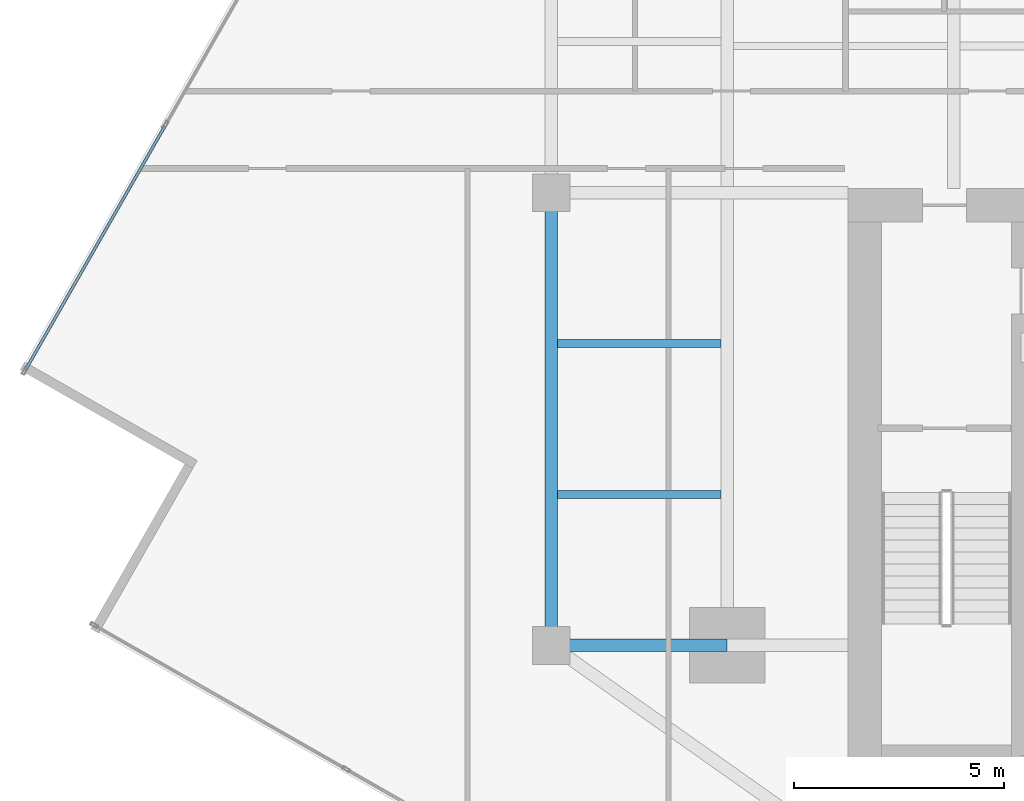
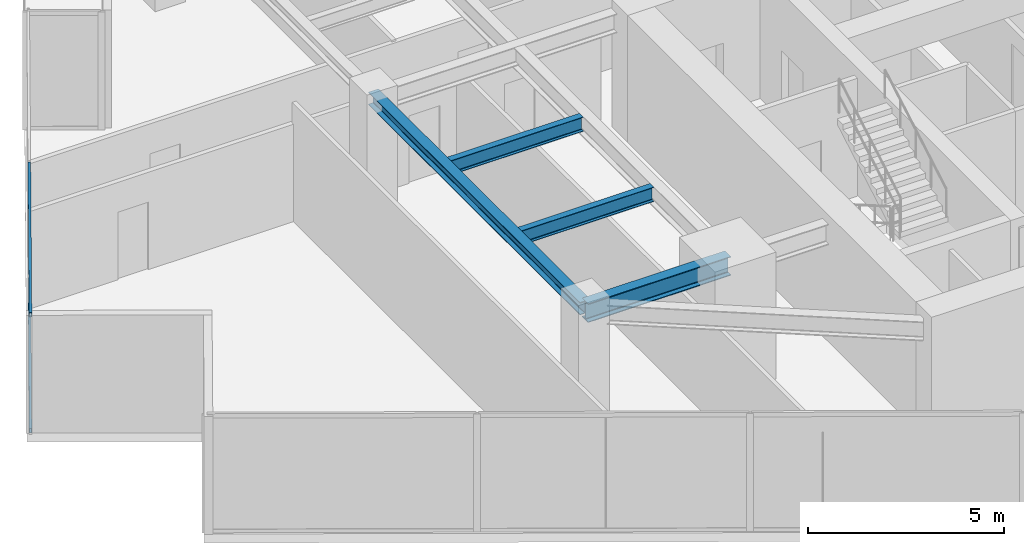
# One storey, part 6 of 24: 4 beams, 2 members, 1 element without a shape of its own.
"""IFC4 building model written with IfcOpenShell, lengths in metres."""

from ifc_helpers import new_model, si_unit, direction, frame, origin, origin_2d, place, context, subcontext, project, spatial, hollow_rectangle, i_section, extrude, source, transform, mapped, material, material_profile, profile_set, type_object, type_shapes, element, aggregate, save


model = new_model("IFC4")

# Units and contexts
model_context = context("Model", 3, precision=1e-05, world=origin(), true_north=direction((0.0, 1.0)))
body_context = subcontext(model_context, "Body", "Model", "MODEL_VIEW")
ifc_project = project(units=[si_unit("LENGTHUNIT", "METRE"), si_unit("AREAUNIT", "SQUARE_METRE"), si_unit("VOLUMEUNIT", "CUBIC_METRE"), si_unit("PLANEANGLEUNIT", "RADIAN"), si_unit("MASSUNIT", "GRAM", prefix="KILO")], contexts=[model_context])

# Site, building, storey
site_placement = place(None, origin())
site = spatial("IfcSite", under=ifc_project, at=site_placement, CompositionType="ELEMENT")
building_placement = place(site_placement, origin())
building = spatial("IfcBuilding", under=site, at=building_placement, Name="Krantzveldt Concourse Tower", CompositionType="ELEMENT")
storey_placement = place(building_placement, frame((0.0, 0.0, 169.89990234375)))
storey = spatial("IfcBuildingStorey", under=building, at=storey_placement, Name="L41", CompositionType="ELEMENT", Elevation=169.89990234375)

# Beams
ifc_material_1 = material(Name="Steel S355JR", Category="steel")
ifc_material_profile_1 = material_profile(ifc_material_1, i_section(OverallWidth=0.300048828125, OverallDepth=0.590087890625, WebThickness=0.012939453125, FlangeThickness=0.02490234375, FilletRadius=0.027099609375, at=origin_2d()), Name="Steel S355JR", Category="steel")
ifc_profile_set_1 = profile_set([ifc_material_profile_1], Name="Steel S355JR - HEA 600")
beam_type_1 = type_object("IfcBeamType", Name="BM-B-HEA600", PredefinedType="BEAM", material=ifc_profile_set_1)
shared_shape_1 = source(origin(), body_context, "Body", "SweptSolid", [
    extrude(i_section(OverallWidth=0.300048828125, OverallDepth=0.590087890625, WebThickness=0.012939453125, FlangeThickness=0.02490234375, FilletRadius=0.027099609375, at=origin_2d()), origin(), (0.0, 0.0, 1.0), 4.199951171875),
])
type_shapes(beam_type_1, [shared_shape_1])
beam_1_placement = place(storey_placement, frame((21.0, 15.89990234375, 3.375), z_axis=(1.0, 0.0, 0.0), x_axis=(0.0, 1.0, 0.0)))
element("IfcBeam", 1, at=beam_1_placement, inside=storey, type_object=beam_type_1, Name="L41 Tower Girder BR-RL1", PredefinedType="BEAM", context=body_context, shape_type="MappedRepresentation", body=[
    mapped(shared_shape_1, transform((0.0, 0.0, 0.0), x_axis=(1.0, 0.0, 0.0), y_axis=(0.0, 1.0, 0.0), z_axis=(0.0, 0.0, 1.0), scale=1.0)),
])
ifc_material_profile_2 = material_profile(ifc_material_1, i_section(OverallWidth=0.300048828125, OverallDepth=0.389892578125, WebThickness=0.010986328125, FlangeThickness=0.01904296875, FilletRadius=0.027099609375, at=origin_2d()), Name="Steel S355JR", Category="steel")
ifc_profile_set_2 = profile_set([ifc_material_profile_2], Name="Steel S355JR - HEA 400")
beam_type_2 = type_object("IfcBeamType", Name="BM-SP-HEA400", PredefinedType="SPANDREL", material=ifc_profile_set_2)
shared_shape_2 = source(origin(), body_context, "Body", "SweptSolid", [
    extrude(i_section(OverallWidth=0.300048828125, OverallDepth=0.389892578125, WebThickness=0.010986328125, FlangeThickness=0.01904296875, FilletRadius=0.027099609375, at=origin_2d()), origin(), (0.0, 0.0, 1.0), 10.800048828125),
])
type_shapes(beam_type_2, [shared_shape_2])
beam_2_placement = place(storey_placement, frame((21.0, 15.89990234375, 3.47509765625), z_axis=(0.0, 1.0, 0.0), x_axis=(-1.0, 0.0, 0.0)))
element("IfcBeam", 2, at=beam_2_placement, inside=storey, type_object=beam_type_2, Name="L41 Tower Girder SP-R01", PredefinedType="SPANDREL", context=body_context, shape_type="MappedRepresentation", body=[
    mapped(shared_shape_2, transform((0.0, 0.0, 0.0), x_axis=(1.0, 0.0, 0.0), y_axis=(0.0, 1.0, 0.0), z_axis=(0.0, 0.0, 1.0), scale=1.0)),
])
ifc_material_profile_3 = material_profile(ifc_material_1, i_section(OverallWidth=0.18994140625, OverallDepth=0.449951171875, WebThickness=0.009521484375, FlangeThickness=0.0146484375, FilletRadius=0.02099609375, at=origin_2d()), Name="Steel S355JR", Category="steel")
ifc_profile_set_3 = profile_set([ifc_material_profile_3], Name="Steel S355JR - IPE 450")
beam_type_3 = type_object("IfcBeamType", Name="BM-J-IPE450", PredefinedType="JOIST", material=ifc_profile_set_3)
shared_shape_3 = source(origin(), body_context, "Body", "SweptSolid", [
    extrude(i_section(OverallWidth=0.18994140625, OverallDepth=0.449951171875, WebThickness=0.009521484375, FlangeThickness=0.0146484375, FilletRadius=0.02099609375, at=origin_2d()), origin(), (0.0, 0.0, 1.0), 3.900146484375),
])
type_shapes(beam_type_3, [shared_shape_3])
for number, where, z_axis, x_axis, name in (
    (3, (21.14990234375, 19.5, 3.445068359375), (1.0, 0.0, 0.0), (0.0, 1.0, 0.0), "L41 Secondary Floor Joist JW-1"),
    (4, (21.14990234375, 23.10009765625, 3.445068359375), (1.0, 0.0, 0.0), (0.0, 1.0, 0.0), "L41 Secondary Floor Joist JW-2"),
):
    element("IfcBeam", number, at=place(storey_placement, frame(where, z_axis=z_axis, x_axis=x_axis)), inside=storey, type_object=beam_type_3, Name=name, PredefinedType="JOIST", context=body_context, shape_type="MappedRepresentation", body=[
        mapped(shared_shape_3, transform((0.0, 0.0, 0.0), x_axis=(1.0, 0.0, 0.0), y_axis=(0.0, 1.0, 0.0), z_axis=(0.0, 0.0, 1.0), scale=1.0)),
    ])

# Curtain wall, members
ifc_material_2 = material(Name="Anodised aluminium 6063-T6", Category="aluminium")
curtain_wall_type = type_object("IfcCurtainWallType", Name="CW3", PredefinedType="USERDEFINED", material=ifc_material_2)
curtain_wall_placement = place(storey_placement, origin())
curtain_wall = element("IfcCurtainWall", 5, at=curtain_wall_placement, inside=storey, type_object=curtain_wall_type, Name="CW-L41-F05", ObjectType="UNITISED CURTAIN WALL", PredefinedType="USERDEFINED")
ifc_material_profile_4 = material_profile(ifc_material_2, hollow_rectangle(XDim=0.070068359375, YDim=0.139892578125, WallThickness=0.0048828125, at=origin_2d()), Name="Anodised aluminium 6063-T6", Category="aluminium")
ifc_profile_set_4 = profile_set([ifc_material_profile_4], Name="Anodised aluminium 6063-T6 - ALU-TRAN 140x70x5")
member_type = type_object("IfcMemberType", Name="CW-TRN-150", PredefinedType="USERDEFINED", material=ifc_profile_set_4)
shared_shape_4 = source(origin(), body_context, "Body", "SweptSolid", [
    extrude(hollow_rectangle(XDim=0.070068359375, YDim=0.139892578125, WallThickness=0.0048828125, at=origin_2d()), origin(), (0.0, 0.0, 1.0), 6.695068359375),
])
type_shapes(member_type, [shared_shape_4])
member_1_placement = place(storey_placement, frame((11.787353515625, 28.289306640625, 0.03515625), z_axis=(-0.496217476605, -0.868198258413, 0.0), x_axis=(0.868198258413, -0.496217476605, 0.0)))
member_1 = element("IfcMember", 6, at=member_1_placement, type_object=member_type, Name="CW-Z34 transom 2.1", ObjectType="TRANSOM", PredefinedType="USERDEFINED", context=body_context, shape_type="MappedRepresentation", body=[
    mapped(shared_shape_4, transform((0.0, 0.0, 0.0), x_axis=(1.0, 0.0, 0.0), y_axis=(0.0, 1.0, 0.0), z_axis=(0.0, 0.0, 1.0), scale=1.0)),
])
member_2_placement = place(storey_placement, frame((11.787353515625, 28.289306640625, 3.635009765625), z_axis=(-0.496217476605, -0.868198258413, 0.0), x_axis=(0.868198258413, -0.496217476605, 0.0)))
member_2 = element("IfcMember", 7, at=member_2_placement, type_object=member_type, Name="CW-Z34 transom 2.2", ObjectType="TRANSOM", PredefinedType="USERDEFINED", context=body_context, shape_type="MappedRepresentation", body=[
    mapped(shared_shape_4, transform((0.0, 0.0, 0.0), x_axis=(1.0, 0.0, 0.0), y_axis=(0.0, 1.0, 0.0), z_axis=(0.0, 0.0, 1.0), scale=1.0)),
])
aggregate(curtain_wall, [member_1, member_2])

save(model, "model.ifc")
